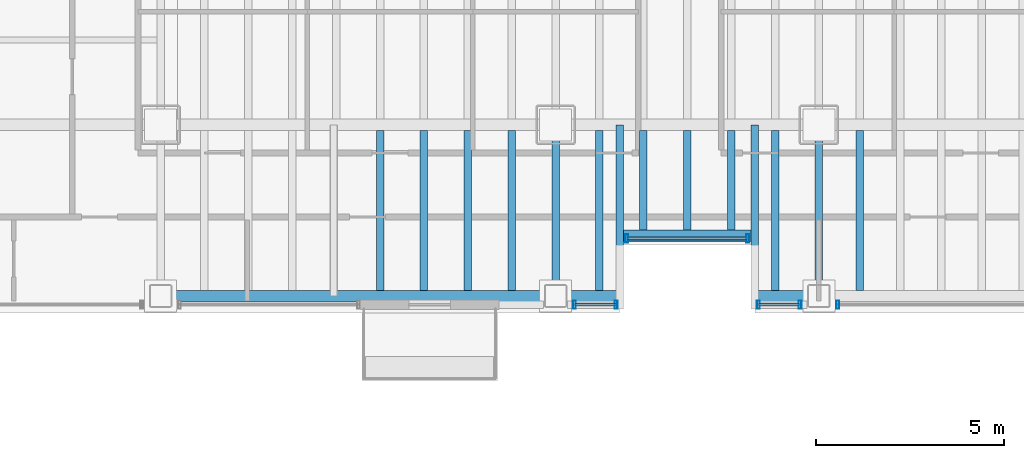
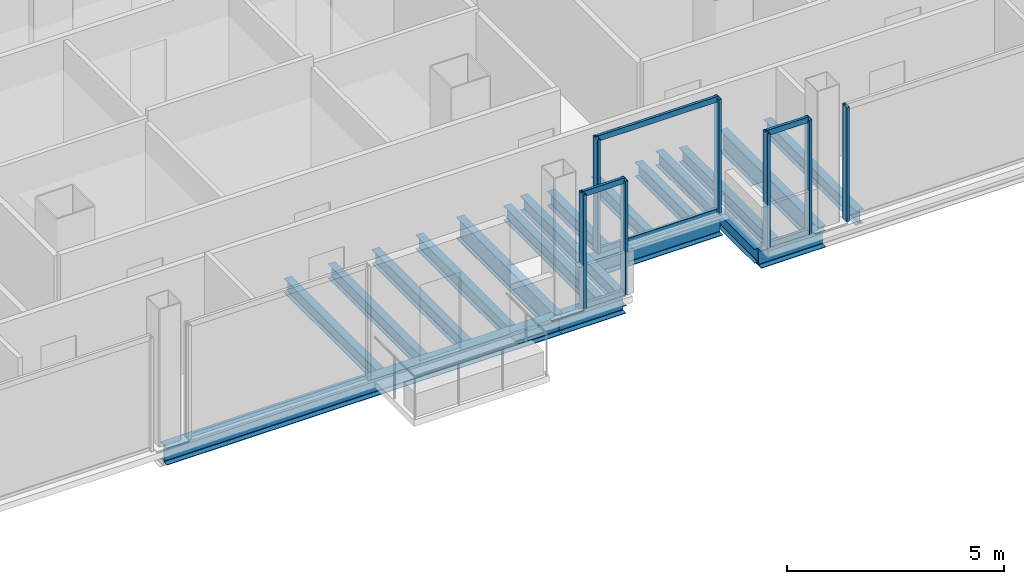
# One storey, part 3 of 30: 18 beams, 13 members, 4 elements without a shape of their own.
"""IFC4 building model written with IfcOpenShell, lengths in metres."""

from ifc_helpers import new_model, si_unit, direction, frame, origin, origin_2d, place, context, subcontext, project, spatial, hollow_rectangle, i_section, extrude, material, material_profile, profile_set, type_object, element, aggregate, save


model = new_model("IFC4")

# Units and contexts
model_context = context("Model", 3, precision=1e-05, world=origin(), true_north=direction((0.0, 1.0)))
body_context = subcontext(model_context, "Body", "Model", "MODEL_VIEW")
ifc_project = project(units=[si_unit("LENGTHUNIT", "METRE"), si_unit("AREAUNIT", "SQUARE_METRE"), si_unit("VOLUMEUNIT", "CUBIC_METRE"), si_unit("PLANEANGLEUNIT", "RADIAN"), si_unit("MASSUNIT", "GRAM", prefix="KILO")], contexts=[model_context])

# Site, building, storey
site_placement = place(None, origin())
site = spatial("IfcSite", under=ifc_project, at=site_placement, CompositionType="ELEMENT")
building_placement = place(site_placement, origin())
building = spatial("IfcBuilding", under=site, at=building_placement, Name="Noeulbin Bourse Tower", CompositionType="ELEMENT")
storey_placement = place(building_placement, frame((0.0, 0.0, 26.5)))
storey = spatial("IfcBuildingStorey", under=building, at=storey_placement, Name="L06", CompositionType="ELEMENT", Elevation=26.5)

# Beams
ifc_material_1 = material(Name="Steel S355", Category="steel")
ifc_material_profile_1 = material_profile(ifc_material_1, i_section(OverallWidth=0.199951171875, OverallDepth=0.60009765625, WebThickness=0.010986328125, FlangeThickness=0.01708984375, FilletRadius=0.02197265625, at=origin_2d()), Name="H-600x200x11x17", Category="LoadBearing")
ifc_profile_set_1 = profile_set([ifc_material_profile_1], Name="Steel S355")
beam_type_1 = type_object("IfcBeamType", Name="BM-GRD-600", PredefinedType="USERDEFINED", material=ifc_profile_set_1)
for number, where, z_axis, x_axis, name in (
    (1, (24.0, 15.449951171875, -0.47998046875), (0.0, 1.0, 0.0), (-1.0, 0.0, 0.0), "Tower Primary Girder NS L06-2.1"),
    (2, (31.0, 15.449951171875, -0.47998046875), (0.0, 1.0, 0.0), (-1.0, 0.0, 0.0), "Tower Primary Girder NS L06-3.1"),
):
    element("IfcBeam", number, at=place(storey_placement, frame(where, z_axis=z_axis, x_axis=x_axis)), inside=storey, type_object=beam_type_1, Name=name, ObjectType="GIRDER", PredefinedType="USERDEFINED", context=body_context, shape_type="SweptSolid", body=[
        extrude(i_section(OverallWidth=0.199951171875, OverallDepth=0.60009765625, WebThickness=0.010986328125, FlangeThickness=0.01708984375, FilletRadius=0.02197265625, at=origin_2d()), origin(), (0.0, 0.0, 1.0), 4.550048828125),
    ])
ifc_material_profile_2 = material_profile(ifc_material_1, i_section(OverallWidth=0.199951171875, OverallDepth=0.39990234375, WebThickness=0.008056640625, FlangeThickness=0.012939453125, FilletRadius=0.01611328125, at=origin_2d()), Name="H-400x200x8x13", Category="LoadBearing")
ifc_profile_set_2 = profile_set([ifc_material_profile_2], Name="Steel S355")
beam_type_2 = type_object("IfcBeamType", Name="BM-SEC-400", PredefinedType="BEAM", material=ifc_profile_set_2)
for number, where, z_axis, x_axis, name in (
    (3, (25.699951171875, 15.449951171875, -0.3798828125), (0.0, 1.0, 0.0), (-1.0, 0.0, 0.0), "BM-L06-SRT-W"),
    (4, (29.300048828125, 15.449951171875, -0.3798828125), (0.0, 1.0, 0.0), (-1.0, 0.0, 0.0), "BM-L06-SRT-E"),
):
    element("IfcBeam", number, at=place(storey_placement, frame(where, z_axis=z_axis, x_axis=x_axis)), inside=storey, type_object=beam_type_2, Name=name, PredefinedType="BEAM", context=body_context, shape_type="SweptSolid", body=[
        extrude(i_section(OverallWidth=0.199951171875, OverallDepth=0.39990234375, WebThickness=0.008056640625, FlangeThickness=0.012939453125, FilletRadius=0.01611328125, at=origin_2d()), origin(), (0.0, 0.0, 1.0), 4.550048828125),
    ])
for number, where, z_axis, x_axis, name in (
    (5, (19.333251953125, 15.60009765625, -0.3798828125), (0.0, 1.0, 0.0), (-1.0, 0.0, 0.0), "Tower Composite Joist L06-12"),
    (6, (20.5, 15.60009765625, -0.3798828125), (0.0, 1.0, 0.0), (-1.0, 0.0, 0.0), "Tower Composite Joist L06-15"),
    (7, (21.666748046875, 15.60009765625, -0.3798828125), (0.0, 1.0, 0.0), (-1.0, 0.0, 0.0), "Tower Composite Joist L06-18"),
    (8, (22.833251953125, 15.60009765625, -0.3798828125), (0.0, 1.0, 0.0), (-1.0, 0.0, 0.0), "Tower Composite Joist L06-21"),
    (9, (25.166748046875, 15.60009765625, -0.3798828125), (0.0, 1.0, 0.0), (-1.0, 0.0, 0.0), "Tower Composite Joist L06-24"),
):
    element("IfcBeam", number, at=place(storey_placement, frame(where, z_axis=z_axis, x_axis=x_axis)), inside=storey, type_object=beam_type_2, Name=name, PredefinedType="BEAM", context=body_context, shape_type="SweptSolid", body=[
        extrude(i_section(OverallWidth=0.199951171875, OverallDepth=0.39990234375, WebThickness=0.008056640625, FlangeThickness=0.012939453125, FilletRadius=0.01611328125, at=origin_2d()), origin(), (0.0, 0.0, 1.0), 4.25),
    ])
for number, where, z_axis, x_axis, name in (
    (10, (26.333251953125, 17.199951171875, -0.3798828125), (0.0, 1.0, 0.0), (-1.0, 0.0, 0.0), "Tower Composite Joist L06-27"),
    (11, (27.5, 17.199951171875, -0.3798828125), (0.0, 1.0, 0.0), (-1.0, 0.0, 0.0), "Tower Composite Joist L06-30"),
    (12, (28.666748046875, 17.199951171875, -0.3798828125), (0.0, 1.0, 0.0), (-1.0, 0.0, 0.0), "Tower Composite Joist L06-33"),
):
    element("IfcBeam", number, at=place(storey_placement, frame(where, z_axis=z_axis, x_axis=x_axis)), inside=storey, type_object=beam_type_2, Name=name, PredefinedType="BEAM", context=body_context, shape_type="SweptSolid", body=[
        extrude(i_section(OverallWidth=0.199951171875, OverallDepth=0.39990234375, WebThickness=0.008056640625, FlangeThickness=0.012939453125, FilletRadius=0.01611328125, at=origin_2d()), origin(), (0.0, 0.0, 1.0), 2.650146484375),
    ])
for number, where, z_axis, x_axis, name in (
    (13, (29.833251953125, 15.60009765625, -0.3798828125), (0.0, 1.0, 0.0), (-1.0, 0.0, 0.0), "Tower Composite Joist L06-36"),
    (14, (32.083251953125, 15.60009765625, -0.3798828125), (0.0, 1.0, 0.0), (-1.0, 0.0, 0.0), "Tower Composite Joist L06-39"),
):
    element("IfcBeam", number, at=place(storey_placement, frame(where, z_axis=z_axis, x_axis=x_axis)), inside=storey, type_object=beam_type_2, Name=name, PredefinedType="BEAM", context=body_context, shape_type="SweptSolid", body=[
        extrude(i_section(OverallWidth=0.199951171875, OverallDepth=0.39990234375, WebThickness=0.008056640625, FlangeThickness=0.012939453125, FilletRadius=0.01611328125, at=origin_2d()), origin(), (0.0, 0.0, 1.0), 4.25),
    ])
ifc_material_profile_3 = material_profile(ifc_material_1, i_section(OverallWidth=0.300048828125, OverallDepth=0.488037109375, WebThickness=0.010986328125, FlangeThickness=0.01806640625, FilletRadius=0.02197265625, at=origin_2d()), Name="H-488x300x11x18", Category="LoadBearing")
ifc_profile_set_3 = profile_set([ifc_material_profile_3], Name="Steel S355")
beam_type_3 = type_object("IfcBeamType", Name="BM-SPN-488", PredefinedType="SPANDREL", material=ifc_profile_set_3)
beam_1_placement = place(storey_placement, frame((13.5, 15.449951171875, -0.424072265625), z_axis=(1.0, 0.0, 0.0), x_axis=(0.0, 1.0, 0.0)))
element("IfcBeam", 15, at=beam_1_placement, inside=storey, type_object=beam_type_3, Name="South Spandrel L06-1", PredefinedType="SPANDREL", context=body_context, shape_type="SweptSolid", body=[
    extrude(i_section(OverallWidth=0.300048828125, OverallDepth=0.488037109375, WebThickness=0.010986328125, FlangeThickness=0.01806640625, FilletRadius=0.02197265625, at=origin_2d()), origin(), (0.0, 0.0, 1.0), 10.5),
])
beam_2_placement = place(storey_placement, frame((25.800048828125, 17.050048828125, -0.424072265625), z_axis=(1.0, 0.0, 0.0), x_axis=(0.0, 1.0, 0.0)))
element("IfcBeam", 16, at=beam_2_placement, inside=storey, type_object=beam_type_3, Name="South Recess Spandrel L06-2B", PredefinedType="SPANDREL", context=body_context, shape_type="SweptSolid", body=[
    extrude(i_section(OverallWidth=0.300048828125, OverallDepth=0.488037109375, WebThickness=0.010986328125, FlangeThickness=0.01806640625, FilletRadius=0.02197265625, at=origin_2d()), origin(), (0.0, 0.0, 1.0), 3.39990234375),
])
for number, where, z_axis, x_axis, name in (
    (17, (24.0, 15.449951171875, -0.424072265625), (1.0, 0.0, 0.0), (0.0, 1.0, 0.0), "South Spandrel L06-2A"),
    (18, (29.300048828125, 15.449951171875, -0.424072265625), (1.0, 0.0, 0.0), (0.0, 1.0, 0.0), "South Spandrel L06-2C"),
):
    element("IfcBeam", number, at=place(storey_placement, frame(where, z_axis=z_axis, x_axis=x_axis)), inside=storey, type_object=beam_type_3, Name=name, PredefinedType="SPANDREL", context=body_context, shape_type="SweptSolid", body=[
        extrude(i_section(OverallWidth=0.300048828125, OverallDepth=0.488037109375, WebThickness=0.010986328125, FlangeThickness=0.01806640625, FilletRadius=0.02197265625, at=origin_2d()), origin(), (0.0, 0.0, 1.0), 1.699951171875),
    ])

# Curtain wall, members
ifc_material_2 = material(Name="Dark Solar-Control Double Glazing", Category="glass")
curtain_wall_type = type_object("IfcCurtainWallType", Name="CW-SYS-2", PredefinedType="NOTDEFINED", material=ifc_material_2)
curtain_wall_1_placement = place(storey_placement, origin())
curtain_wall_1 = element("IfcCurtainWall", 19, at=curtain_wall_1_placement, inside=storey, type_object=curtain_wall_type, Name="Unitised Curtain Wall CW-L06-SREC", PredefinedType="NOTDEFINED")
ifc_material_3 = material(Name="Anodised Aluminium 6063-T6", Category="aluminium")
ifc_material_profile_4 = material_profile(ifc_material_3, hollow_rectangle(XDim=0.074951171875, YDim=0.219970703125, WallThickness=0.0048828125, InnerFilletRadius=0.00244140625, OuterFilletRadius=0.0048828125, at=origin_2d()), Name="ALU-MULL-75x220x5", Category="LoadBearing")
ifc_profile_set_4 = profile_set([ifc_material_profile_4], Name="Anodised Aluminium 6063-T6")
member_type_1 = type_object("IfcMemberType", Name="CW-SYS-2-MUL", PredefinedType="MULLION", material=ifc_profile_set_4)
member_1_placement = place(storey_placement, frame((25.889892578125, 16.97998046875, -0.02001953125), z_axis=(0.0, 0.0, 1.0), x_axis=(1.0, 0.0, 0.0)))
member_1 = element("IfcMember", 20, at=member_1_placement, type_object=member_type_1, Name="Curtain Wall Mullion CW-L06-SREC-M00", PredefinedType="MULLION", context=body_context, shape_type="SweptSolid", body=[
    extrude(hollow_rectangle(XDim=0.074951171875, YDim=0.219970703125, WallThickness=0.0048828125, InnerFilletRadius=0.00244140625, OuterFilletRadius=0.0048828125, at=origin_2d()), origin(), (0.0, 0.0, 1.0), 3.219970703125),
])
member_2_placement = place(storey_placement, frame((29.110107421875, 16.97998046875, -0.02001953125), z_axis=(0.0, 0.0, 1.0), x_axis=(1.0, 0.0, 0.0)))
member_2 = element("IfcMember", 21, at=member_2_placement, type_object=member_type_1, Name="Curtain Wall Mullion CW-L06-SREC-M01", PredefinedType="MULLION", context=body_context, shape_type="SweptSolid", body=[
    extrude(hollow_rectangle(XDim=0.074951171875, YDim=0.219970703125, WallThickness=0.0048828125, InnerFilletRadius=0.00244140625, OuterFilletRadius=0.0048828125, at=origin_2d()), origin(), (0.0, 0.0, 1.0), 3.219970703125),
])

curtain_wall_2_placement = place(storey_placement, origin())
curtain_wall_2 = element("IfcCurtainWall", 22, at=curtain_wall_2_placement, inside=storey, type_object=curtain_wall_type, Name="Unitised Curtain Wall CW-L06-S2", PredefinedType="NOTDEFINED")
member_3_placement = place(storey_placement, frame((24.5, 15.219970703125, -0.02001953125), z_axis=(0.0, 0.0, 1.0), x_axis=(1.0, 0.0, 0.0)))
member_3 = element("IfcMember", 23, at=member_3_placement, type_object=member_type_1, Name="Curtain Wall Mullion CW-L06-S2-M00", PredefinedType="MULLION", context=body_context, shape_type="SweptSolid", body=[
    extrude(hollow_rectangle(XDim=0.074951171875, YDim=0.219970703125, WallThickness=0.0048828125, InnerFilletRadius=0.00244140625, OuterFilletRadius=0.0048828125, at=origin_2d()), origin(), (0.0, 0.0, 1.0), 3.219970703125),
])
member_4_placement = place(storey_placement, frame((25.610107421875, 15.219970703125, -0.02001953125), z_axis=(0.0, 0.0, 1.0), x_axis=(1.0, 0.0, 0.0)))
member_4 = element("IfcMember", 24, at=member_4_placement, type_object=member_type_1, Name="Curtain Wall Mullion CW-L06-S2-M01", PredefinedType="MULLION", context=body_context, shape_type="SweptSolid", body=[
    extrude(hollow_rectangle(XDim=0.074951171875, YDim=0.219970703125, WallThickness=0.0048828125, InnerFilletRadius=0.00244140625, OuterFilletRadius=0.0048828125, at=origin_2d()), origin(), (0.0, 0.0, 1.0), 3.219970703125),
])

curtain_wall_3_placement = place(storey_placement, origin())
curtain_wall_3 = element("IfcCurtainWall", 25, at=curtain_wall_3_placement, inside=storey, type_object=curtain_wall_type, Name="Unitised Curtain Wall CW-L06-S3-S1", PredefinedType="NOTDEFINED")
member_5_placement = place(storey_placement, frame((29.389892578125, 15.219970703125, -0.02001953125), z_axis=(0.0, 0.0, 1.0), x_axis=(1.0, 0.0, 0.0)))
member_5 = element("IfcMember", 26, at=member_5_placement, type_object=member_type_1, Name="Curtain Wall Mullion CW-L06-S3-S1-M00", PredefinedType="MULLION", context=body_context, shape_type="SweptSolid", body=[
    extrude(hollow_rectangle(XDim=0.074951171875, YDim=0.219970703125, WallThickness=0.0048828125, InnerFilletRadius=0.00244140625, OuterFilletRadius=0.0048828125, at=origin_2d()), origin(), (0.0, 0.0, 1.0), 3.219970703125),
])
member_6_placement = place(storey_placement, frame((30.5, 15.219970703125, -0.02001953125), z_axis=(0.0, 0.0, 1.0), x_axis=(1.0, 0.0, 0.0)))
member_6 = element("IfcMember", 27, at=member_6_placement, type_object=member_type_1, Name="Curtain Wall Mullion CW-L06-S3-S1-M01", PredefinedType="MULLION", context=body_context, shape_type="SweptSolid", body=[
    extrude(hollow_rectangle(XDim=0.074951171875, YDim=0.219970703125, WallThickness=0.0048828125, InnerFilletRadius=0.00244140625, OuterFilletRadius=0.0048828125, at=origin_2d()), origin(), (0.0, 0.0, 1.0), 3.219970703125),
])

# Curtain wall, member
curtain_wall_4_placement = place(storey_placement, origin())
curtain_wall_4 = element("IfcCurtainWall", 28, at=curtain_wall_4_placement, inside=storey, type_object=curtain_wall_type, Name="Unitised Curtain Wall CW-L06-S3-S2", PredefinedType="NOTDEFINED")
member_7_placement = place(storey_placement, frame((31.5, 15.219970703125, -0.02001953125), z_axis=(0.0, 0.0, 1.0), x_axis=(1.0, 0.0, 0.0)))
member_7 = element("IfcMember", 29, at=member_7_placement, type_object=member_type_1, Name="Curtain Wall Mullion CW-L06-S3-S2-M00", PredefinedType="MULLION", context=body_context, shape_type="SweptSolid", body=[
    extrude(hollow_rectangle(XDim=0.074951171875, YDim=0.219970703125, WallThickness=0.0048828125, InnerFilletRadius=0.00244140625, OuterFilletRadius=0.0048828125, at=origin_2d()), origin(), (0.0, 0.0, 1.0), 3.219970703125),
])
aggregate(curtain_wall_4, [member_7])

# Member
ifc_material_profile_5 = material_profile(ifc_material_3, hollow_rectangle(XDim=0.074951171875, YDim=0.159912109375, WallThickness=0.0048828125, InnerFilletRadius=0.00244140625, OuterFilletRadius=0.0048828125, at=origin_2d()), Name="ALU-TRAN-75x160x5", Category="LoadBearing")
ifc_profile_set_5 = profile_set([ifc_material_profile_5], Name="Anodised Aluminium 6063-T6")
member_type_2 = type_object("IfcMemberType", Name="CW-SYS-2-TRN", PredefinedType="USERDEFINED", material=ifc_profile_set_5)
member_8_placement = place(storey_placement, frame((25.89990234375, 16.97998046875, 0.010009765625), z_axis=(1.0, 0.0, 0.0), x_axis=(0.0, 1.0, 0.0)))
member_8 = element("IfcMember", 30, at=member_8_placement, type_object=member_type_2, Name="Curtain Wall Transom CW-L06-SREC-T00", ObjectType="TRANSOM", PredefinedType="USERDEFINED", context=body_context, shape_type="SweptSolid", body=[
    extrude(hollow_rectangle(XDim=0.074951171875, YDim=0.159912109375, WallThickness=0.0048828125, InnerFilletRadius=0.00244140625, OuterFilletRadius=0.0048828125, at=origin_2d()), origin(), (0.0, 0.0, 1.0), 3.2001953125),
])

member_9_placement = place(storey_placement, frame((25.89990234375, 16.97998046875, 3.169921875), z_axis=(1.0, 0.0, 0.0), x_axis=(0.0, 1.0, 0.0)))
member_9 = element("IfcMember", 31, at=member_9_placement, type_object=member_type_2, Name="Curtain Wall Transom CW-L06-SREC-T01", ObjectType="TRANSOM", PredefinedType="USERDEFINED", context=body_context, shape_type="SweptSolid", body=[
    extrude(hollow_rectangle(XDim=0.074951171875, YDim=0.159912109375, WallThickness=0.0048828125, InnerFilletRadius=0.00244140625, OuterFilletRadius=0.0048828125, at=origin_2d()), origin(), (0.0, 0.0, 1.0), 3.2001953125),
])

aggregate(curtain_wall_1, [member_1, member_2, member_8, member_9])

member_10_placement = place(storey_placement, frame((24.510009765625, 15.219970703125, 0.010009765625), z_axis=(1.0, 0.0, 0.0), x_axis=(0.0, 1.0, 0.0)))
member_10 = element("IfcMember", 32, at=member_10_placement, type_object=member_type_2, Name="Curtain Wall Transom CW-L06-S2-T00", ObjectType="TRANSOM", PredefinedType="USERDEFINED", context=body_context, shape_type="SweptSolid", body=[
    extrude(hollow_rectangle(XDim=0.074951171875, YDim=0.159912109375, WallThickness=0.0048828125, InnerFilletRadius=0.00244140625, OuterFilletRadius=0.0048828125, at=origin_2d()), origin(), (0.0, 0.0, 1.0), 1.090087890625),
])

member_11_placement = place(storey_placement, frame((24.510009765625, 15.219970703125, 3.169921875), z_axis=(1.0, 0.0, 0.0), x_axis=(0.0, 1.0, 0.0)))
member_11 = element("IfcMember", 33, at=member_11_placement, type_object=member_type_2, Name="Curtain Wall Transom CW-L06-S2-T01", ObjectType="TRANSOM", PredefinedType="USERDEFINED", context=body_context, shape_type="SweptSolid", body=[
    extrude(hollow_rectangle(XDim=0.074951171875, YDim=0.159912109375, WallThickness=0.0048828125, InnerFilletRadius=0.00244140625, OuterFilletRadius=0.0048828125, at=origin_2d()), origin(), (0.0, 0.0, 1.0), 1.090087890625),
])

aggregate(curtain_wall_2, [member_3, member_4, member_10, member_11])

member_12_placement = place(storey_placement, frame((29.39990234375, 15.219970703125, 0.010009765625), z_axis=(1.0, 0.0, 0.0), x_axis=(0.0, 1.0, 0.0)))
member_12 = element("IfcMember", 34, at=member_12_placement, type_object=member_type_2, Name="Curtain Wall Transom CW-L06-S3-S1-T00", ObjectType="TRANSOM", PredefinedType="USERDEFINED", context=body_context, shape_type="SweptSolid", body=[
    extrude(hollow_rectangle(XDim=0.074951171875, YDim=0.159912109375, WallThickness=0.0048828125, InnerFilletRadius=0.00244140625, OuterFilletRadius=0.0048828125, at=origin_2d()), origin(), (0.0, 0.0, 1.0), 1.090087890625),
])

member_13_placement = place(storey_placement, frame((29.39990234375, 15.219970703125, 3.169921875), z_axis=(1.0, 0.0, 0.0), x_axis=(0.0, 1.0, 0.0)))
member_13 = element("IfcMember", 35, at=member_13_placement, type_object=member_type_2, Name="Curtain Wall Transom CW-L06-S3-S1-T01", ObjectType="TRANSOM", PredefinedType="USERDEFINED", context=body_context, shape_type="SweptSolid", body=[
    extrude(hollow_rectangle(XDim=0.074951171875, YDim=0.159912109375, WallThickness=0.0048828125, InnerFilletRadius=0.00244140625, OuterFilletRadius=0.0048828125, at=origin_2d()), origin(), (0.0, 0.0, 1.0), 1.090087890625),
])

aggregate(curtain_wall_3, [member_5, member_6, member_12, member_13])

save(model, "model.ifc")
